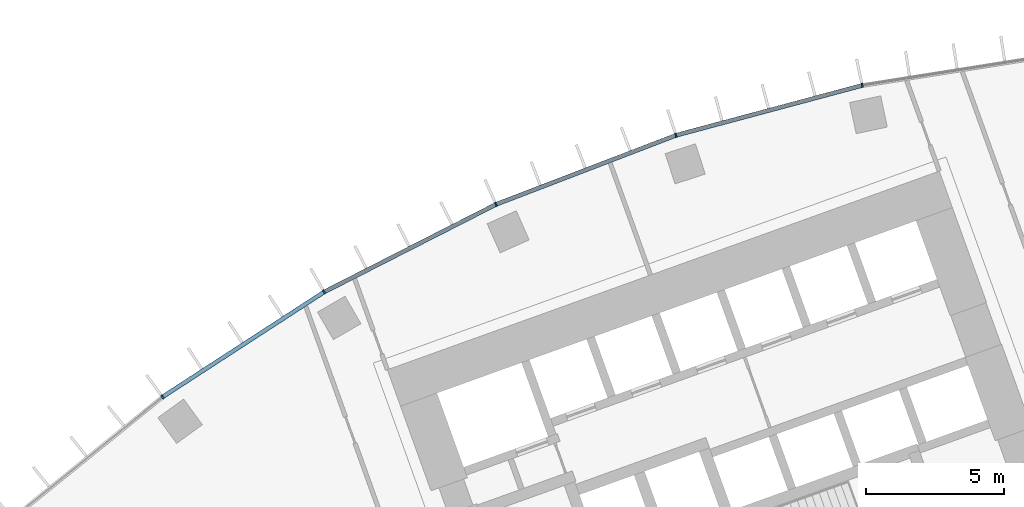
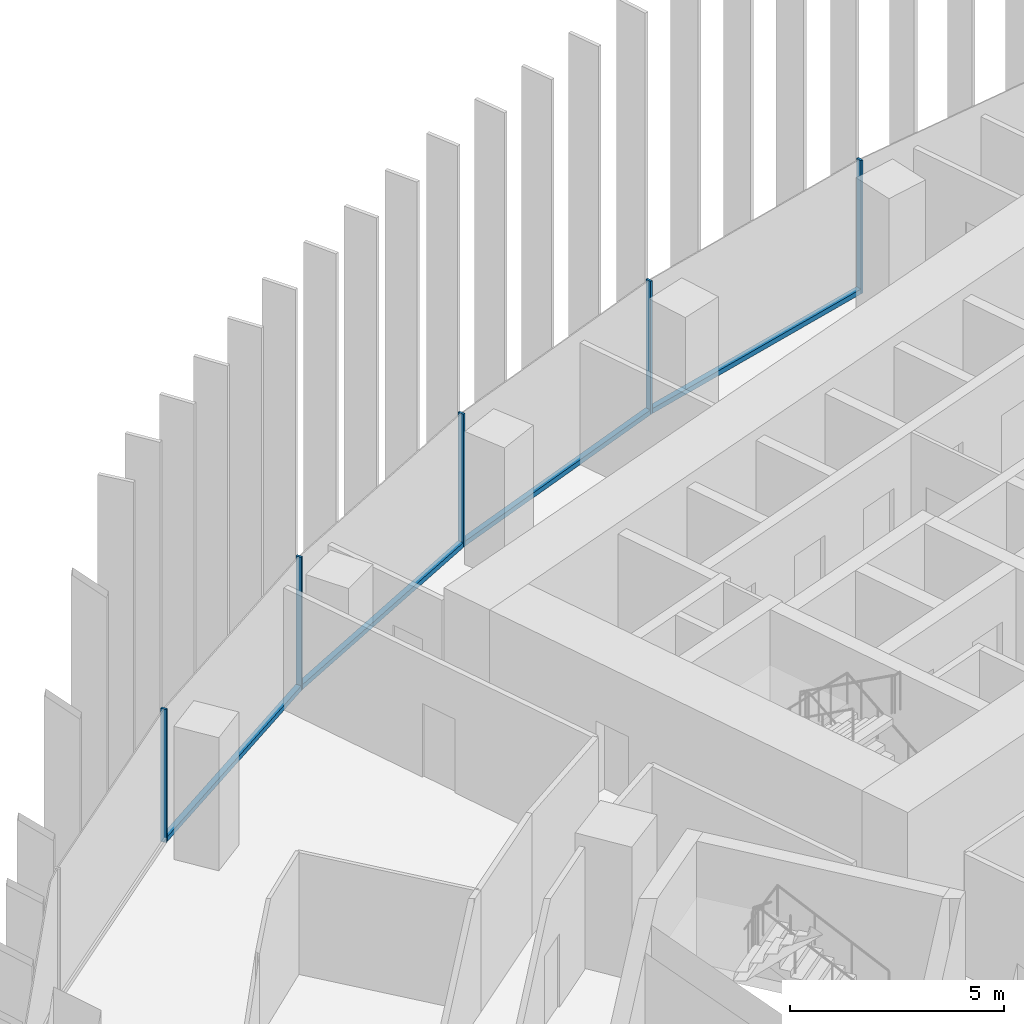
# One storey, part 5 of 21: 9 members, 1 element without a shape of its own.
"""IFC4 building model written with IfcOpenShell, lengths in metres."""

from ifc_helpers import new_model, si_unit, direction, frame, origin, origin_2d, place, context, subcontext, project, spatial, rectangle, extrude, material, layer, layer_set, material_profile, profile_set, type_object, element, aggregate, save


model = new_model("IFC4")

# Units and contexts
model_context = context("Model", 3, precision=1e-05, world=origin(), true_north=direction((0.0, 1.0)))
body_context = subcontext(model_context, "Body", "Model", "MODEL_VIEW")
ifc_project = project(units=[si_unit("LENGTHUNIT", "METRE"), si_unit("AREAUNIT", "SQUARE_METRE"), si_unit("VOLUMEUNIT", "CUBIC_METRE"), si_unit("PLANEANGLEUNIT", "RADIAN"), si_unit("MASSUNIT", "GRAM", prefix="KILO")], contexts=[model_context])

# Site, building, storey
site_placement = place(None, origin())
site = spatial("IfcSite", under=ifc_project, at=site_placement, CompositionType="ELEMENT")
building_placement = place(site_placement, origin())
building = spatial("IfcBuilding", under=site, at=building_placement, Name="Stone Belt Terrace Tower", CompositionType="ELEMENT")
storey_placement = place(building_placement, frame((0.0, 0.0, 87.0)))
storey = spatial("IfcBuildingStorey", under=building, at=storey_placement, Name="L20", CompositionType="ELEMENT", Elevation=87.0)

# Curtain wall, members
ifc_material = material(Name="Aluminium 6063-T6 anodised frame", Category="aluminium")
ifc_layer = layer(ifc_material, 0.14990234375)
ifc_layer_set = layer_set([ifc_layer], Name="CW-A unitised convex-face curtain wall")
curtain_wall_type = type_object("IfcCurtainWallType", Name="CW-A unitised convex-face curtain wall", PredefinedType="NOTDEFINED", material=ifc_layer_set)
curtain_wall_placement = place(storey_placement, origin())
curtain_wall = element("IfcCurtainWall", 1, at=curtain_wall_placement, inside=storey, type_object=curtain_wall_type, Name="CW-A convex face L20", PredefinedType="NOTDEFINED")
ifc_material_profile_1 = material_profile(ifc_material, rectangle(XDim=0.14990234375, YDim=0.06005859375, at=origin_2d()), Name="Aluminium 6063-T6 60x150")
ifc_profile_set_1 = profile_set([ifc_material_profile_1], Name="Aluminium 6063-T6 anodised frame")
member_type_1 = type_object("IfcMemberType", Name="CW-A mullion 60 x 150", PredefinedType="MULLION", material=ifc_profile_set_1)
member_1_placement = place(storey_placement, frame((-13.841796875, 65.120361328125, 0.0), z_axis=(0.0, 0.0, 1.0), x_axis=(0.207911690818, -0.978147600734, 0.0)))
member_1 = element("IfcMember", 2, at=member_1_placement, type_object=member_type_1, Name="CW-A mullion 12", PredefinedType="MULLION", context=body_context, shape_type="SweptSolid", body=[
    extrude(rectangle(XDim=0.14990234375, YDim=0.06005859375, at=origin_2d()), origin(), (0.0, 0.0, 1.0), 3.800048828125),
])
member_2_placement = place(storey_placement, frame((-20.57275390625, 63.316650390625, 0.0), z_axis=(0.0, 0.0, 1.0), x_axis=(0.309016994375, -0.951056516295, 0.0)))
member_2 = element("IfcMember", 3, at=member_2_placement, type_object=member_type_1, Name="CW-A mullion 13", PredefinedType="MULLION", context=body_context, shape_type="SweptSolid", body=[
    extrude(rectangle(XDim=0.14990234375, YDim=0.06005859375, at=origin_2d()), origin(), (0.0, 0.0, 1.0), 3.800048828125),
])
member_3_placement = place(storey_placement, frame((-27.07861328125, 60.8193359375, 0.0), z_axis=(0.0, 0.0, 1.0), x_axis=(0.406736643076, -0.913545457643, 0.0)))
member_3 = element("IfcMember", 4, at=member_3_placement, type_object=member_type_1, Name="CW-A mullion 14", PredefinedType="MULLION", context=body_context, shape_type="SweptSolid", body=[
    extrude(rectangle(XDim=0.14990234375, YDim=0.06005859375, at=origin_2d()), origin(), (0.0, 0.0, 1.0), 3.800048828125),
])
member_4_placement = place(storey_placement, frame((-33.28759765625, 57.65576171875, 0.0), z_axis=(0.0, 0.0, 1.0), x_axis=(0.5, -0.866025403784, 0.0)))
member_4 = element("IfcMember", 5, at=member_4_placement, type_object=member_type_1, Name="CW-A mullion 15", PredefinedType="MULLION", context=body_context, shape_type="SweptSolid", body=[
    extrude(rectangle(XDim=0.14990234375, YDim=0.06005859375, at=origin_2d()), origin(), (0.0, 0.0, 1.0), 3.800048828125),
])
member_5_placement = place(storey_placement, frame((-39.1318359375, 53.8603515625, 0.0), z_axis=(0.0, 0.0, 1.0), x_axis=(0.587785252292, -0.809016994375, 0.0)))
member_5 = element("IfcMember", 6, at=member_5_placement, type_object=member_type_1, Name="CW-A mullion 16", PredefinedType="MULLION", context=body_context, shape_type="SweptSolid", body=[
    extrude(rectangle(XDim=0.14990234375, YDim=0.06005859375, at=origin_2d()), origin(), (0.0, 0.0, 1.0), 3.800048828125),
])
ifc_material_profile_2 = material_profile(ifc_material, rectangle(XDim=0.14990234375, YDim=0.139892578125, at=origin_2d()), Name="Aluminium 6063-T6 150x140")
ifc_profile_set_2 = profile_set([ifc_material_profile_2], Name="Aluminium 6063-T6 anodised frame")
member_type_2 = type_object("IfcMemberType", Name="CW-A transom 140 x 150", PredefinedType="USERDEFINED", material=ifc_profile_set_2)
member_6_placement = place(storey_placement, frame((-13.87451171875, 65.111572265625, 0.070068359375), z_axis=(-0.965921835863, -0.258833937117, 0.0), x_axis=(0.258833937117, -0.965921835863, 0.0)))
member_6 = element("IfcMember", 7, at=member_6_placement, type_object=member_type_2, Name="CW-A transom 12.1", ObjectType="TRANSOM", PredefinedType="USERDEFINED", context=body_context, shape_type="SweptSolid", body=[
    extrude(rectangle(XDim=0.14990234375, YDim=0.139892578125, at=origin_2d()), origin(), (0.0, 0.0, 1.0), 6.900634765625),
])
member_7_placement = place(storey_placement, frame((-20.6044921875, 63.304443359375, 0.070068359375), z_axis=(-0.933585210269, -0.358355487146, 0.0), x_axis=(0.358355487146, -0.933585210269, 0.0)))
member_7 = element("IfcMember", 8, at=member_7_placement, type_object=member_type_2, Name="CW-A transom 13.1", ObjectType="TRANSOM", PredefinedType="USERDEFINED", context=body_context, shape_type="SweptSolid", body=[
    extrude(rectangle(XDim=0.14990234375, YDim=0.139892578125, at=origin_2d()), origin(), (0.0, 0.0, 1.0), 6.900634765625),
])
member_8_placement = place(storey_placement, frame((-27.108642578125, 60.803955078125, 0.070068359375), z_axis=(-0.891012226264, -0.453979308613, 0.0), x_axis=(0.453979308613, -0.891012226264, 0.0)))
member_8 = element("IfcMember", 9, at=member_8_placement, type_object=member_type_2, Name="CW-A transom 14.1", ObjectType="TRANSOM", PredefinedType="USERDEFINED", context=body_context, shape_type="SweptSolid", body=[
    extrude(rectangle(XDim=0.14990234375, YDim=0.139892578125, at=origin_2d()), origin(), (0.0, 0.0, 1.0), 6.90087890625),
])
member_9_placement = place(storey_placement, frame((-33.31591796875, 57.63720703125, 0.070068359375), z_axis=(-0.83868440714, -0.544617723931, 0.0), x_axis=(0.544617723931, -0.83868440714, 0.0)))
member_9 = element("IfcMember", 10, at=member_9_placement, type_object=member_type_2, Name="CW-A transom 15.1", ObjectType="TRANSOM", PredefinedType="USERDEFINED", context=body_context, shape_type="SweptSolid", body=[
    extrude(rectangle(XDim=0.14990234375, YDim=0.139892578125, at=origin_2d()), origin(), (0.0, 0.0, 1.0), 6.90087890625),
])
aggregate(curtain_wall, [member_1, member_2, member_3, member_4, member_5, member_6, member_7, member_8, member_9])

save(model, "model.ifc")
